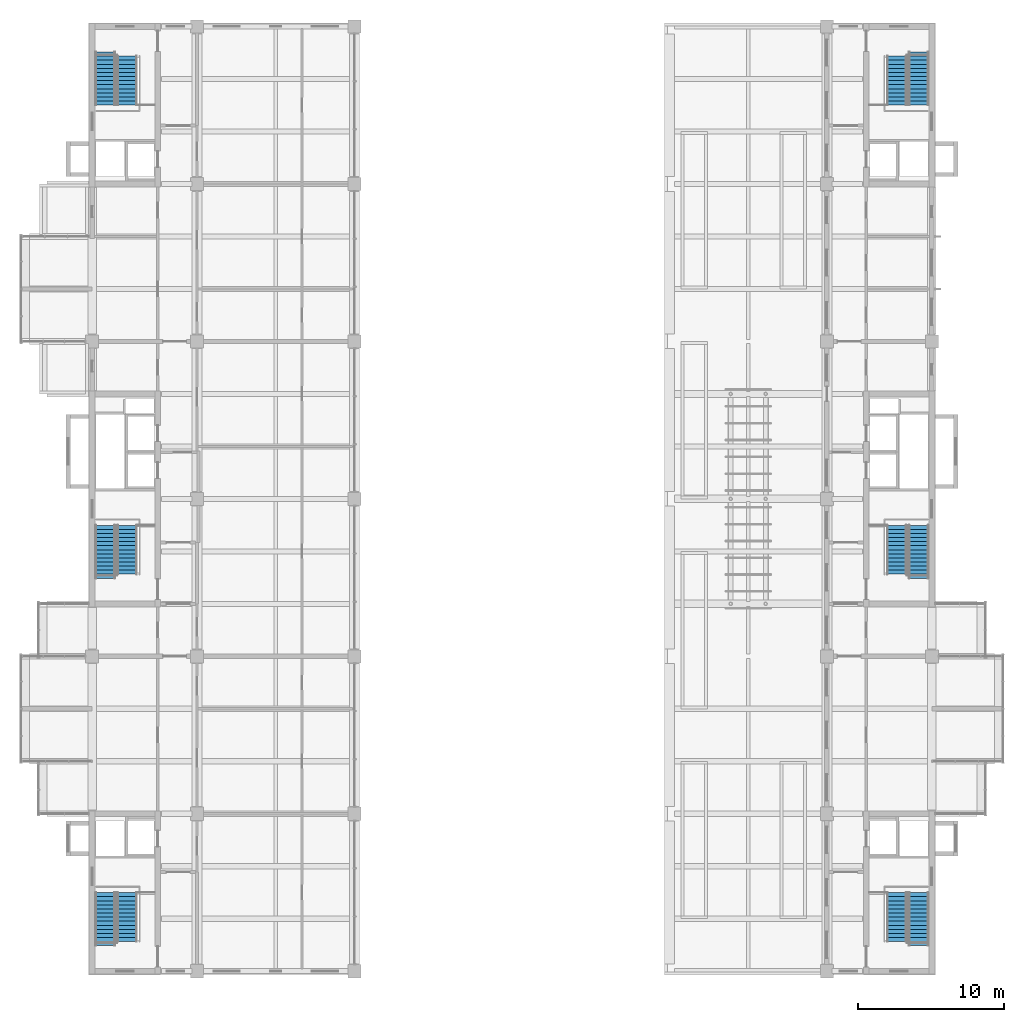
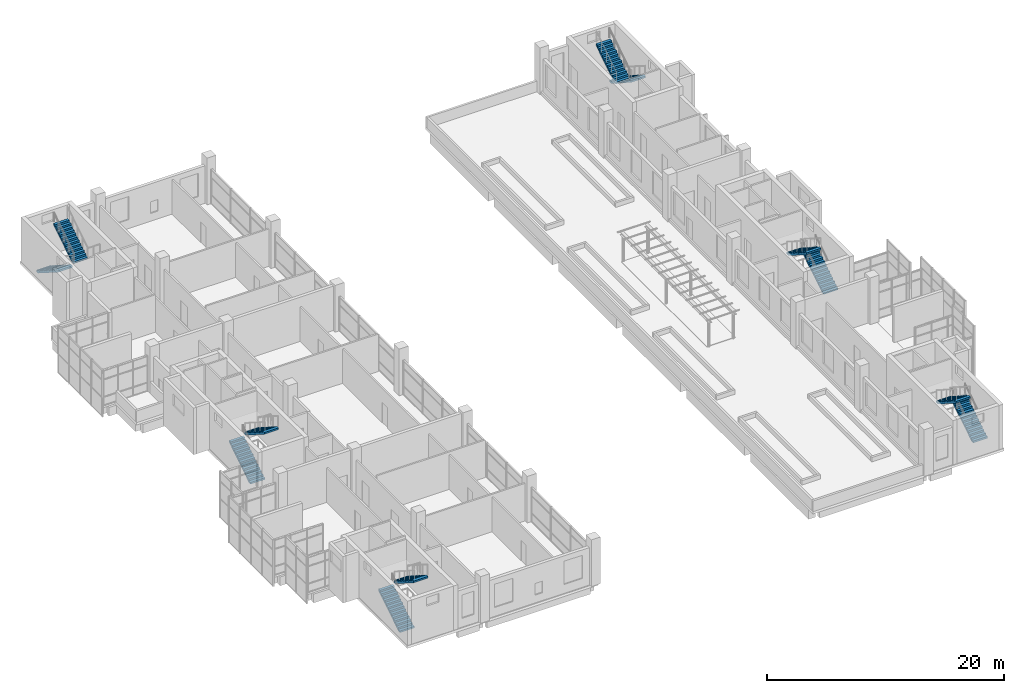
# One storey, part 30 of 32: 12 stair flights, 6 elements without a shape of their own.
"""IFC4 building model written with IfcOpenShell, lengths in metres."""

from ifc_helpers import new_model, si_unit, direction, frame, origin, place, context, subcontext, project, spatial, polyline, outline, extrude, material, type_object, element, aggregate, save


model = new_model("IFC4")

# Units and contexts
model_context = context("Model", 3, precision=1e-05, world=origin(), true_north=direction((0.0, 1.0)))
body_context = subcontext(model_context, "Body", "Model", "MODEL_VIEW")
ifc_project = project(units=[si_unit("LENGTHUNIT", "METRE"), si_unit("AREAUNIT", "SQUARE_METRE"), si_unit("VOLUMEUNIT", "CUBIC_METRE"), si_unit("PLANEANGLEUNIT", "RADIAN"), si_unit("MASSUNIT", "GRAM", prefix="KILO")], contexts=[model_context])

# Site, building, storey
site_placement = place(None, origin())
site = spatial("IfcSite", under=ifc_project, at=site_placement, CompositionType="ELEMENT")
building_placement = place(site_placement, origin())
building = spatial("IfcBuilding", under=site, at=building_placement, Name="Basin Gate Institute", CompositionType="ELEMENT")
storey_placement = place(building_placement, frame((0.0, 0.0, 41.39990234375)))
storey = spatial("IfcBuildingStorey", under=building, at=storey_placement, Name="L08", CompositionType="ELEMENT", Elevation=41.39990234375)

# Stair, stair flights
ifc_material_1 = material(Name="Concrete 40 MPa", Category="concrete")
stair_type = type_object("IfcStairType", Name="Stair ST", PredefinedType="HALF_TURN_STAIR", material=ifc_material_1)
stair_1_placement = place(storey_placement, origin())
stair_1 = element("IfcStair", 1, at=stair_1_placement, inside=storey, type_object=stair_type, material=ifc_material_1, Name="Special safe stair ST-WS L08", PredefinedType="HALF_TURN_STAIR")
ifc_material_2 = material(Name="Concrete 40 MPa", Category="concrete")
stair_flight_type = type_object("IfcStairFlightType", Name="Stair flight FL", PredefinedType="STRAIGHT", material=ifc_material_2)
stair_flight_1_placement = place(storey_placement, frame((62.10009765625, 36.85009765625, 0.0), z_axis=(0.0, 0.0, 1.0), x_axis=(0.0, 1.0, 0.0)))
stair_flight_1 = element("IfcStairFlight", 2, at=stair_flight_1_placement, type_object=stair_flight_type, material=ifc_material_2, Name="Stair flight ST-WS-F1 L08", NumberOfRisers=14, NumberOfTreads=13, PredefinedType="STRAIGHT", RiserHeight=0.177777778, TreadLength=0.28, context=body_context, shape_type="SweptSolid", body=[
    extrude(outline(polyline([(0.0, 0.0), (0.0, 0.177734375), (0.280029296875, 0.177734375), (0.280029296875, 0.35546875), (0.56005859375, 0.35546875), (0.56005859375, 0.533447265625), (0.840087890625, 0.533447265625), (0.840087890625, 0.711181640625), (1.1201171875, 0.711181640625), (1.1201171875, 0.888916015625), (1.39990234375, 0.888916015625), (1.39990234375, 1.066650390625), (1.679931640625, 1.066650390625), (1.679931640625, 1.244384765625), (1.9599609375, 1.244384765625), (1.9599609375, 1.422119140625), (2.239990234375, 1.422119140625), (2.239990234375, 1.60009765625), (2.52001953125, 1.60009765625), (2.52001953125, 1.77783203125), (2.800048828125, 1.77783203125), (2.800048828125, 1.95556640625), (3.080078125, 1.95556640625), (3.080078125, 2.13330078125), (3.360107421875, 2.13330078125), (3.360107421875, 2.31103515625), (3.639892578125, 2.31103515625), (3.639892578125, 2.48876953125), (3.639892578125, 2.133544921875), (0.27978515625, 0.0), (0.0, 0.0)])), frame((0.0, 0.699951171875, 0.0), z_axis=(0.0, -1.0, 0.0), x_axis=(1.0, 0.0, 0.0)), (0.0, 0.0, 1.0), 1.39990234375),
])
stair_flight_2_placement = place(storey_placement, frame((63.60009765625, 40.489990234375, 2.489013671875), z_axis=(0.0, 0.0, 1.0), x_axis=(0.0, -1.0, 0.0)))
stair_flight_2 = element("IfcStairFlight", 3, at=stair_flight_2_placement, type_object=stair_flight_type, material=ifc_material_2, Name="Stair flight ST-WS-F2 L08", NumberOfRisers=13, NumberOfTreads=12, PredefinedType="STRAIGHT", RiserHeight=0.177777778, TreadLength=0.28, context=body_context, shape_type="SweptSolid", body=[
    extrude(outline(polyline([(0.0, 0.0), (0.0, 0.177734375), (0.280029296875, 0.177734375), (0.280029296875, 0.35546875), (0.56005859375, 0.35546875), (0.56005859375, 0.533447265625), (0.840087890625, 0.533447265625), (0.840087890625, 0.711181640625), (1.1201171875, 0.711181640625), (1.1201171875, 0.888916015625), (1.39990234375, 0.888916015625), (1.39990234375, 1.066650390625), (1.679931640625, 1.066650390625), (1.679931640625, 1.244384765625), (1.9599609375, 1.244384765625), (1.9599609375, 1.422119140625), (2.239990234375, 1.422119140625), (2.239990234375, 1.60009765625), (2.52001953125, 1.60009765625), (2.52001953125, 1.77783203125), (2.800048828125, 1.77783203125), (2.800048828125, 1.95556640625), (3.080078125, 1.95556640625), (3.080078125, 2.13330078125), (3.360107421875, 2.13330078125), (3.360107421875, 2.31103515625), (3.360107421875, 1.955810546875), (0.27978515625, 0.0), (0.0, 0.0)])), frame((0.0, 0.699951171875, 0.0), z_axis=(0.0, -1.0, 0.0), x_axis=(1.0, 0.0, 0.0)), (0.0, 0.0, 1.0), 1.39990234375),
])
aggregate(stair_1, [stair_flight_1, stair_flight_2])

stair_2_placement = place(storey_placement, origin())
stair_2 = element("IfcStair", 4, at=stair_2_placement, inside=storey, type_object=stair_type, material=ifc_material_1, Name="Special safe stair ST-WM L08", PredefinedType="HALF_TURN_STAIR")
stair_flight_3_placement = place(storey_placement, frame((62.10009765625, 62.050048828125, 0.0), z_axis=(0.0, 0.0, 1.0), x_axis=(0.0, 1.0, 0.0)))
stair_flight_3 = element("IfcStairFlight", 5, at=stair_flight_3_placement, type_object=stair_flight_type, material=ifc_material_2, Name="Stair flight ST-WM-F1 L08", NumberOfRisers=14, NumberOfTreads=13, PredefinedType="STRAIGHT", RiserHeight=0.177777778, TreadLength=0.28, context=body_context, shape_type="SweptSolid", body=[
    extrude(outline(polyline([(0.0, 0.0), (0.0, 0.177734375), (0.280029296875, 0.177734375), (0.280029296875, 0.35546875), (0.56005859375, 0.35546875), (0.56005859375, 0.533447265625), (0.840087890625, 0.533447265625), (0.840087890625, 0.711181640625), (1.1201171875, 0.711181640625), (1.1201171875, 0.888916015625), (1.39990234375, 0.888916015625), (1.39990234375, 1.066650390625), (1.679931640625, 1.066650390625), (1.679931640625, 1.244384765625), (1.9599609375, 1.244384765625), (1.9599609375, 1.422119140625), (2.239990234375, 1.422119140625), (2.239990234375, 1.60009765625), (2.52001953125, 1.60009765625), (2.52001953125, 1.77783203125), (2.800048828125, 1.77783203125), (2.800048828125, 1.95556640625), (3.080078125, 1.95556640625), (3.080078125, 2.13330078125), (3.360107421875, 2.13330078125), (3.360107421875, 2.31103515625), (3.639892578125, 2.31103515625), (3.639892578125, 2.48876953125), (3.639892578125, 2.133544921875), (0.27978515625, 0.0), (0.0, 0.0)])), frame((0.0, 0.699951171875, 0.0), z_axis=(0.0, -1.0, 0.0), x_axis=(1.0, 0.0, 0.0)), (0.0, 0.0, 1.0), 1.39990234375),
])
stair_flight_4_placement = place(storey_placement, frame((63.60009765625, 65.68994140625, 2.489013671875), z_axis=(0.0, 0.0, 1.0), x_axis=(0.0, -1.0, 0.0)))
stair_flight_4 = element("IfcStairFlight", 6, at=stair_flight_4_placement, type_object=stair_flight_type, material=ifc_material_2, Name="Stair flight ST-WM-F2 L08", NumberOfRisers=13, NumberOfTreads=12, PredefinedType="STRAIGHT", RiserHeight=0.177777778, TreadLength=0.28, context=body_context, shape_type="SweptSolid", body=[
    extrude(outline(polyline([(0.0, 0.0), (0.0, 0.177734375), (0.280029296875, 0.177734375), (0.280029296875, 0.35546875), (0.56005859375, 0.35546875), (0.56005859375, 0.533447265625), (0.840087890625, 0.533447265625), (0.840087890625, 0.711181640625), (1.1201171875, 0.711181640625), (1.1201171875, 0.888916015625), (1.39990234375, 0.888916015625), (1.39990234375, 1.066650390625), (1.679931640625, 1.066650390625), (1.679931640625, 1.244384765625), (1.9599609375, 1.244384765625), (1.9599609375, 1.422119140625), (2.239990234375, 1.422119140625), (2.239990234375, 1.60009765625), (2.52001953125, 1.60009765625), (2.52001953125, 1.77783203125), (2.800048828125, 1.77783203125), (2.800048828125, 1.95556640625), (3.080078125, 1.95556640625), (3.080078125, 2.13330078125), (3.360107421875, 2.13330078125), (3.360107421875, 2.31103515625), (3.360107421875, 1.955810546875), (0.27978515625, 0.0), (0.0, 0.0)])), frame((0.0, 0.699951171875, 0.0), z_axis=(0.0, -1.0, 0.0), x_axis=(1.0, 0.0, 0.0)), (0.0, 0.0, 1.0), 1.39990234375),
])
aggregate(stair_2, [stair_flight_3, stair_flight_4])

stair_3_placement = place(storey_placement, origin())
stair_3 = element("IfcStair", 7, at=stair_3_placement, inside=storey, type_object=stair_type, material=ifc_material_1, Name="Special safe stair ST-WN L08", PredefinedType="HALF_TURN_STAIR")
stair_flight_5_placement = place(storey_placement, frame((62.10009765625, 98.14990234375, 0.0), z_axis=(0.0, 0.0, 1.0), x_axis=(0.0, -1.0, 0.0)))
stair_flight_5 = element("IfcStairFlight", 8, at=stair_flight_5_placement, type_object=stair_flight_type, material=ifc_material_2, Name="Stair flight ST-WN-F1 L08", NumberOfRisers=14, NumberOfTreads=13, PredefinedType="STRAIGHT", RiserHeight=0.177777778, TreadLength=0.28, context=body_context, shape_type="SweptSolid", body=[
    extrude(outline(polyline([(0.0, 0.0), (0.0, 0.177734375), (0.280029296875, 0.177734375), (0.280029296875, 0.35546875), (0.56005859375, 0.35546875), (0.56005859375, 0.533447265625), (0.840087890625, 0.533447265625), (0.840087890625, 0.711181640625), (1.1201171875, 0.711181640625), (1.1201171875, 0.888916015625), (1.39990234375, 0.888916015625), (1.39990234375, 1.066650390625), (1.679931640625, 1.066650390625), (1.679931640625, 1.244384765625), (1.9599609375, 1.244384765625), (1.9599609375, 1.422119140625), (2.239990234375, 1.422119140625), (2.239990234375, 1.60009765625), (2.52001953125, 1.60009765625), (2.52001953125, 1.77783203125), (2.800048828125, 1.77783203125), (2.800048828125, 1.95556640625), (3.080078125, 1.95556640625), (3.080078125, 2.13330078125), (3.360107421875, 2.13330078125), (3.360107421875, 2.31103515625), (3.639892578125, 2.31103515625), (3.639892578125, 2.48876953125), (3.639892578125, 2.133544921875), (0.27978515625, 0.0), (0.0, 0.0)])), frame((0.0, 0.699951171875, 0.0), z_axis=(0.0, -1.0, 0.0), x_axis=(1.0, 0.0, 0.0)), (0.0, 0.0, 1.0), 1.39990234375),
])
stair_flight_6_placement = place(storey_placement, frame((63.60009765625, 94.510009765625, 2.489013671875), z_axis=(0.0, 0.0, 1.0), x_axis=(0.0, 1.0, 0.0)))
stair_flight_6 = element("IfcStairFlight", 9, at=stair_flight_6_placement, type_object=stair_flight_type, material=ifc_material_2, Name="Stair flight ST-WN-F2 L08", NumberOfRisers=13, NumberOfTreads=12, PredefinedType="STRAIGHT", RiserHeight=0.177777778, TreadLength=0.28, context=body_context, shape_type="SweptSolid", body=[
    extrude(outline(polyline([(0.0, 0.0), (0.0, 0.177734375), (0.280029296875, 0.177734375), (0.280029296875, 0.35546875), (0.56005859375, 0.35546875), (0.56005859375, 0.533447265625), (0.840087890625, 0.533447265625), (0.840087890625, 0.711181640625), (1.1201171875, 0.711181640625), (1.1201171875, 0.888916015625), (1.39990234375, 0.888916015625), (1.39990234375, 1.066650390625), (1.679931640625, 1.066650390625), (1.679931640625, 1.244384765625), (1.9599609375, 1.244384765625), (1.9599609375, 1.422119140625), (2.239990234375, 1.422119140625), (2.239990234375, 1.60009765625), (2.52001953125, 1.60009765625), (2.52001953125, 1.77783203125), (2.800048828125, 1.77783203125), (2.800048828125, 1.95556640625), (3.080078125, 1.95556640625), (3.080078125, 2.13330078125), (3.360107421875, 2.13330078125), (3.360107421875, 2.31103515625), (3.360107421875, 1.955810546875), (0.27978515625, 0.0), (0.0, 0.0)])), frame((0.0, 0.699951171875, 0.0), z_axis=(0.0, -1.0, 0.0), x_axis=(1.0, 0.0, 0.0)), (0.0, 0.0, 1.0), 1.39990234375),
])
aggregate(stair_3, [stair_flight_5, stair_flight_6])

stair_4_placement = place(storey_placement, origin())
stair_4 = element("IfcStair", 10, at=stair_4_placement, inside=storey, type_object=stair_type, material=ifc_material_1, Name="Special safe stair ST-ES L08", PredefinedType="HALF_TURN_STAIR")
stair_flight_7_placement = place(storey_placement, frame((117.89990234375, 36.85009765625, 0.0), z_axis=(0.0, 0.0, 1.0), x_axis=(0.0, 1.0, 0.0)))
stair_flight_7 = element("IfcStairFlight", 11, at=stair_flight_7_placement, type_object=stair_flight_type, material=ifc_material_2, Name="Stair flight ST-ES-F1 L08", NumberOfRisers=14, NumberOfTreads=13, PredefinedType="STRAIGHT", RiserHeight=0.177777778, TreadLength=0.28, context=body_context, shape_type="SweptSolid", body=[
    extrude(outline(polyline([(0.0, 0.0), (0.0, 0.177734375), (0.280029296875, 0.177734375), (0.280029296875, 0.35546875), (0.56005859375, 0.35546875), (0.56005859375, 0.533447265625), (0.840087890625, 0.533447265625), (0.840087890625, 0.711181640625), (1.1201171875, 0.711181640625), (1.1201171875, 0.888916015625), (1.39990234375, 0.888916015625), (1.39990234375, 1.066650390625), (1.679931640625, 1.066650390625), (1.679931640625, 1.244384765625), (1.9599609375, 1.244384765625), (1.9599609375, 1.422119140625), (2.239990234375, 1.422119140625), (2.239990234375, 1.60009765625), (2.52001953125, 1.60009765625), (2.52001953125, 1.77783203125), (2.800048828125, 1.77783203125), (2.800048828125, 1.95556640625), (3.080078125, 1.95556640625), (3.080078125, 2.13330078125), (3.360107421875, 2.13330078125), (3.360107421875, 2.31103515625), (3.639892578125, 2.31103515625), (3.639892578125, 2.48876953125), (3.639892578125, 2.133544921875), (0.27978515625, 0.0), (0.0, 0.0)])), frame((0.0, 0.699951171875, 0.0), z_axis=(0.0, -1.0, 0.0), x_axis=(1.0, 0.0, 0.0)), (0.0, 0.0, 1.0), 1.39990234375),
])
stair_flight_8_placement = place(storey_placement, frame((116.39990234375, 40.489990234375, 2.489013671875), z_axis=(0.0, 0.0, 1.0), x_axis=(0.0, -1.0, 0.0)))
stair_flight_8 = element("IfcStairFlight", 12, at=stair_flight_8_placement, type_object=stair_flight_type, material=ifc_material_2, Name="Stair flight ST-ES-F2 L08", NumberOfRisers=13, NumberOfTreads=12, PredefinedType="STRAIGHT", RiserHeight=0.177777778, TreadLength=0.28, context=body_context, shape_type="SweptSolid", body=[
    extrude(outline(polyline([(0.0, 0.0), (0.0, 0.177734375), (0.280029296875, 0.177734375), (0.280029296875, 0.35546875), (0.56005859375, 0.35546875), (0.56005859375, 0.533447265625), (0.840087890625, 0.533447265625), (0.840087890625, 0.711181640625), (1.1201171875, 0.711181640625), (1.1201171875, 0.888916015625), (1.39990234375, 0.888916015625), (1.39990234375, 1.066650390625), (1.679931640625, 1.066650390625), (1.679931640625, 1.244384765625), (1.9599609375, 1.244384765625), (1.9599609375, 1.422119140625), (2.239990234375, 1.422119140625), (2.239990234375, 1.60009765625), (2.52001953125, 1.60009765625), (2.52001953125, 1.77783203125), (2.800048828125, 1.77783203125), (2.800048828125, 1.95556640625), (3.080078125, 1.95556640625), (3.080078125, 2.13330078125), (3.360107421875, 2.13330078125), (3.360107421875, 2.31103515625), (3.360107421875, 1.955810546875), (0.27978515625, 0.0), (0.0, 0.0)])), frame((0.0, 0.699951171875, 0.0), z_axis=(0.0, -1.0, 0.0), x_axis=(1.0, 0.0, 0.0)), (0.0, 0.0, 1.0), 1.39990234375),
])
aggregate(stair_4, [stair_flight_7, stair_flight_8])

stair_5_placement = place(storey_placement, origin())
stair_5 = element("IfcStair", 13, at=stair_5_placement, inside=storey, type_object=stair_type, material=ifc_material_1, Name="Special safe stair ST-EM L08", PredefinedType="HALF_TURN_STAIR")
stair_flight_9_placement = place(storey_placement, frame((117.89990234375, 62.050048828125, 0.0), z_axis=(0.0, 0.0, 1.0), x_axis=(0.0, 1.0, 0.0)))
stair_flight_9 = element("IfcStairFlight", 14, at=stair_flight_9_placement, type_object=stair_flight_type, material=ifc_material_2, Name="Stair flight ST-EM-F1 L08", NumberOfRisers=14, NumberOfTreads=13, PredefinedType="STRAIGHT", RiserHeight=0.177777778, TreadLength=0.28, context=body_context, shape_type="SweptSolid", body=[
    extrude(outline(polyline([(0.0, 0.0), (0.0, 0.177734375), (0.280029296875, 0.177734375), (0.280029296875, 0.35546875), (0.56005859375, 0.35546875), (0.56005859375, 0.533447265625), (0.840087890625, 0.533447265625), (0.840087890625, 0.711181640625), (1.1201171875, 0.711181640625), (1.1201171875, 0.888916015625), (1.39990234375, 0.888916015625), (1.39990234375, 1.066650390625), (1.679931640625, 1.066650390625), (1.679931640625, 1.244384765625), (1.9599609375, 1.244384765625), (1.9599609375, 1.422119140625), (2.239990234375, 1.422119140625), (2.239990234375, 1.60009765625), (2.52001953125, 1.60009765625), (2.52001953125, 1.77783203125), (2.800048828125, 1.77783203125), (2.800048828125, 1.95556640625), (3.080078125, 1.95556640625), (3.080078125, 2.13330078125), (3.360107421875, 2.13330078125), (3.360107421875, 2.31103515625), (3.639892578125, 2.31103515625), (3.639892578125, 2.48876953125), (3.639892578125, 2.133544921875), (0.27978515625, 0.0), (0.0, 0.0)])), frame((0.0, 0.699951171875, 0.0), z_axis=(0.0, -1.0, 0.0), x_axis=(1.0, 0.0, 0.0)), (0.0, 0.0, 1.0), 1.39990234375),
])
stair_flight_10_placement = place(storey_placement, frame((116.39990234375, 65.68994140625, 2.489013671875), z_axis=(0.0, 0.0, 1.0), x_axis=(0.0, -1.0, 0.0)))
stair_flight_10 = element("IfcStairFlight", 15, at=stair_flight_10_placement, type_object=stair_flight_type, material=ifc_material_2, Name="Stair flight ST-EM-F2 L08", NumberOfRisers=13, NumberOfTreads=12, PredefinedType="STRAIGHT", RiserHeight=0.177777778, TreadLength=0.28, context=body_context, shape_type="SweptSolid", body=[
    extrude(outline(polyline([(0.0, 0.0), (0.0, 0.177734375), (0.280029296875, 0.177734375), (0.280029296875, 0.35546875), (0.56005859375, 0.35546875), (0.56005859375, 0.533447265625), (0.840087890625, 0.533447265625), (0.840087890625, 0.711181640625), (1.1201171875, 0.711181640625), (1.1201171875, 0.888916015625), (1.39990234375, 0.888916015625), (1.39990234375, 1.066650390625), (1.679931640625, 1.066650390625), (1.679931640625, 1.244384765625), (1.9599609375, 1.244384765625), (1.9599609375, 1.422119140625), (2.239990234375, 1.422119140625), (2.239990234375, 1.60009765625), (2.52001953125, 1.60009765625), (2.52001953125, 1.77783203125), (2.800048828125, 1.77783203125), (2.800048828125, 1.95556640625), (3.080078125, 1.95556640625), (3.080078125, 2.13330078125), (3.360107421875, 2.13330078125), (3.360107421875, 2.31103515625), (3.360107421875, 1.955810546875), (0.27978515625, 0.0), (0.0, 0.0)])), frame((0.0, 0.699951171875, 0.0), z_axis=(0.0, -1.0, 0.0), x_axis=(1.0, 0.0, 0.0)), (0.0, 0.0, 1.0), 1.39990234375),
])
aggregate(stair_5, [stair_flight_9, stair_flight_10])

stair_6_placement = place(storey_placement, origin())
stair_6 = element("IfcStair", 16, at=stair_6_placement, inside=storey, type_object=stair_type, material=ifc_material_1, Name="Special safe stair ST-EN L08", PredefinedType="HALF_TURN_STAIR")
stair_flight_11_placement = place(storey_placement, frame((117.89990234375, 98.14990234375, 0.0), z_axis=(0.0, 0.0, 1.0), x_axis=(0.0, -1.0, 0.0)))
stair_flight_11 = element("IfcStairFlight", 17, at=stair_flight_11_placement, type_object=stair_flight_type, material=ifc_material_2, Name="Stair flight ST-EN-F1 L08", NumberOfRisers=14, NumberOfTreads=13, PredefinedType="STRAIGHT", RiserHeight=0.177777778, TreadLength=0.28, context=body_context, shape_type="SweptSolid", body=[
    extrude(outline(polyline([(0.0, 0.0), (0.0, 0.177734375), (0.280029296875, 0.177734375), (0.280029296875, 0.35546875), (0.56005859375, 0.35546875), (0.56005859375, 0.533447265625), (0.840087890625, 0.533447265625), (0.840087890625, 0.711181640625), (1.1201171875, 0.711181640625), (1.1201171875, 0.888916015625), (1.39990234375, 0.888916015625), (1.39990234375, 1.066650390625), (1.679931640625, 1.066650390625), (1.679931640625, 1.244384765625), (1.9599609375, 1.244384765625), (1.9599609375, 1.422119140625), (2.239990234375, 1.422119140625), (2.239990234375, 1.60009765625), (2.52001953125, 1.60009765625), (2.52001953125, 1.77783203125), (2.800048828125, 1.77783203125), (2.800048828125, 1.95556640625), (3.080078125, 1.95556640625), (3.080078125, 2.13330078125), (3.360107421875, 2.13330078125), (3.360107421875, 2.31103515625), (3.639892578125, 2.31103515625), (3.639892578125, 2.48876953125), (3.639892578125, 2.133544921875), (0.27978515625, 0.0), (0.0, 0.0)])), frame((0.0, 0.699951171875, 0.0), z_axis=(0.0, -1.0, 0.0), x_axis=(1.0, 0.0, 0.0)), (0.0, 0.0, 1.0), 1.39990234375),
])
stair_flight_12_placement = place(storey_placement, frame((116.39990234375, 94.510009765625, 2.489013671875), z_axis=(0.0, 0.0, 1.0), x_axis=(0.0, 1.0, 0.0)))
stair_flight_12 = element("IfcStairFlight", 18, at=stair_flight_12_placement, type_object=stair_flight_type, material=ifc_material_2, Name="Stair flight ST-EN-F2 L08", NumberOfRisers=13, NumberOfTreads=12, PredefinedType="STRAIGHT", RiserHeight=0.177777778, TreadLength=0.28, context=body_context, shape_type="SweptSolid", body=[
    extrude(outline(polyline([(0.0, 0.0), (0.0, 0.177734375), (0.280029296875, 0.177734375), (0.280029296875, 0.35546875), (0.56005859375, 0.35546875), (0.56005859375, 0.533447265625), (0.840087890625, 0.533447265625), (0.840087890625, 0.711181640625), (1.1201171875, 0.711181640625), (1.1201171875, 0.888916015625), (1.39990234375, 0.888916015625), (1.39990234375, 1.066650390625), (1.679931640625, 1.066650390625), (1.679931640625, 1.244384765625), (1.9599609375, 1.244384765625), (1.9599609375, 1.422119140625), (2.239990234375, 1.422119140625), (2.239990234375, 1.60009765625), (2.52001953125, 1.60009765625), (2.52001953125, 1.77783203125), (2.800048828125, 1.77783203125), (2.800048828125, 1.95556640625), (3.080078125, 1.95556640625), (3.080078125, 2.13330078125), (3.360107421875, 2.13330078125), (3.360107421875, 2.31103515625), (3.360107421875, 1.955810546875), (0.27978515625, 0.0), (0.0, 0.0)])), frame((0.0, 0.699951171875, 0.0), z_axis=(0.0, -1.0, 0.0), x_axis=(1.0, 0.0, 0.0)), (0.0, 0.0, 1.0), 1.39990234375),
])
aggregate(stair_6, [stair_flight_11, stair_flight_12])

save(model, "model.ifc")
